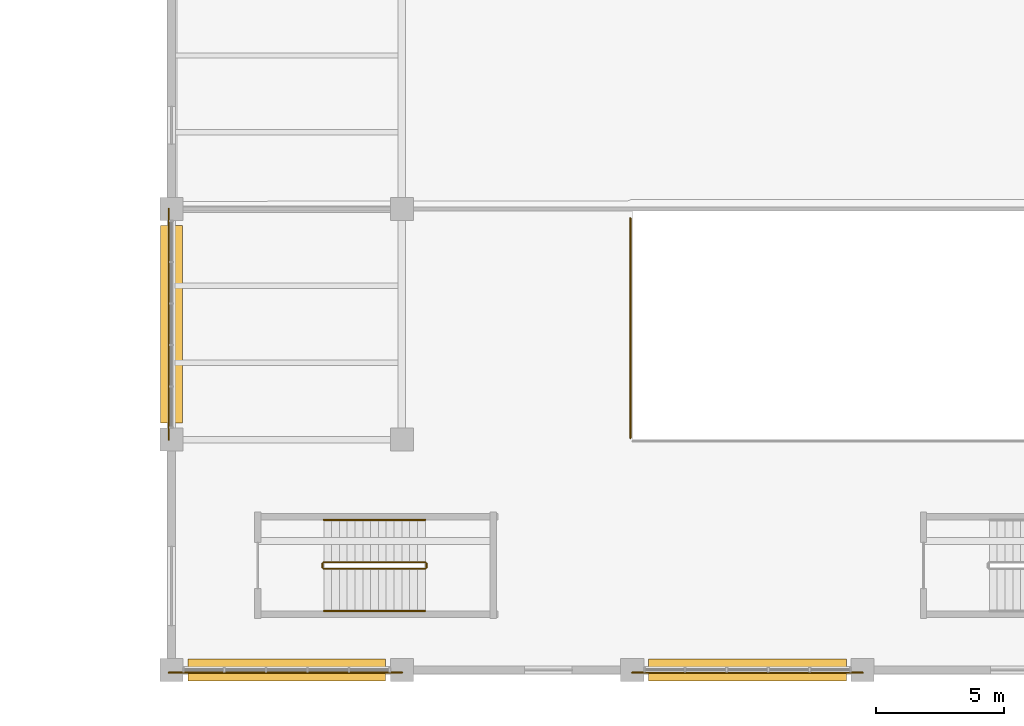
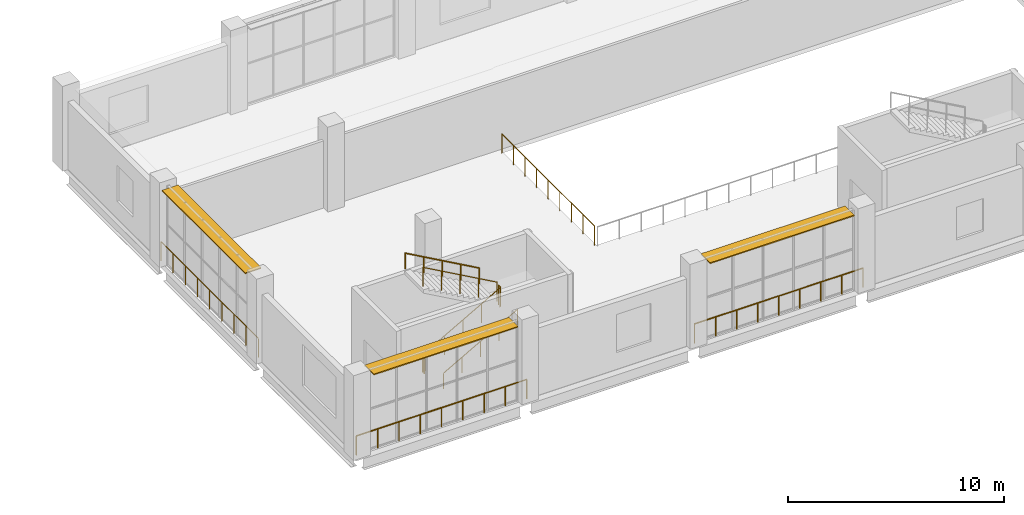
# One storey, part 125 of 183: 10 railings, 3 shading devices.
"""IFC4 building model written with IfcOpenShell, lengths in metres."""

import ifcopenshell
import ifcopenshell.guid

model = None  # the IFC model being written
_history = None  # IfcOwnerHistory: only IFC2X3 demands one
_inside = {}  # id of a spatial element -> (the spatial element, [elements in it])
_under = {}  # id of a project, library or spatial element -> (it, [spatial elements below it])
_declared = {}  # id of a project -> (the project, [libraries it declares])
_typed = {}  # id of a type object -> (the type object, [elements of that type])
_made_of = {}  # id of a material, layer set ... -> (it, [elements and type objects made of it])


def new_model(schema):
    """Start an empty IFC model of exactly this schema.

    Asked for "IFC4X3", IfcOpenShell would pick the latest addendum, in which some entities
    have other attributes; the version numbers below select the first issue.
    IFC2X3 requires an IfcOwnerHistory on every rooted entity: one is made here for all.
    """
    global model, _history
    if schema == "IFC4X3":
        model = ifcopenshell.file(schema_version=(4, 3, 0, 0))
    else:
        model = ifcopenshell.file(schema=schema)
    _inside.clear()
    _under.clear()
    _declared.clear()
    _typed.clear()
    _made_of.clear()
    _history = None
    if model.schema == "IFC2X3":
        org = make("IfcOrganization", Name="unknown")
        user = make(
            "IfcPersonAndOrganization",
            ThePerson=make("IfcPerson", FamilyName="unknown"),
            TheOrganization=org,
        )
        app = make(
            "IfcApplication",
            ApplicationDeveloper=org,
            Version="unknown",
            ApplicationFullName="unknown",
            ApplicationIdentifier="unknown",
        )
        _history = make(
            "IfcOwnerHistory",
            OwningUser=user,
            OwningApplication=app,
            ChangeAction="ADDED",
            CreationDate=0,
        )
    return model


def make(cls, **values):
    """One entity of the class cls with the attributes given. An attribute that is None is left unset."""
    return model.create_entity(
        cls, **{name: value for name, value in values.items() if value is not None}
    )


def rooted(cls, **values):
    """An entity with a GlobalId (a new one), such as an element, a storey or a relation."""
    return make(cls, GlobalId=ifcopenshell.guid.new(), OwnerHistory=_history, **values)


def si_unit(unit_type, name, prefix=None):
    """IfcSIUnit, for example si_unit("LENGTHUNIT", "METRE", prefix="MILLI")."""
    return make("IfcSIUnit", UnitType=unit_type, Prefix=prefix, Name=name)


def assignment(units):
    """IfcUnitAssignment: the units of a project."""
    return None if units is None else make("IfcUnitAssignment", Units=units)


def point(xyz):
    """IfcCartesianPoint."""
    return None if xyz is None else make("IfcCartesianPoint", Coordinates=xyz)


def direction(xyz):
    """IfcDirection."""
    return None if xyz is None else make("IfcDirection", DirectionRatios=xyz)


def frame(location, z_axis=None, x_axis=None):
    """IfcAxis2Placement3D, a coordinate frame: its origin and axes. An axis left out is left unset."""
    return make(
        "IfcAxis2Placement3D",
        Location=point(location),
        Axis=direction(z_axis),
        RefDirection=direction(x_axis),
    )


def frame_2d(location, x_axis=None):
    """IfcAxis2Placement2D, a coordinate frame in the plane: its origin and x axis."""
    return make(
        "IfcAxis2Placement2D", Location=point(location), RefDirection=direction(x_axis)
    )


def origin():
    """The frame at (0, 0, 0) with its axes left unset."""
    return frame((0.0, 0.0, 0.0))


def origin_2d():
    """The frame at (0, 0) in the plane with its x axis left unset."""
    return frame_2d((0.0, 0.0))


def place(relative_to, where):
    """IfcLocalPlacement: puts the frame where relative to a parent placement (None: the world)."""
    return make(
        "IfcLocalPlacement", PlacementRelTo=relative_to, RelativePlacement=where
    )


def context(
    kind, dimensions, precision=None, world=None, true_north=None, identifier=None
):
    """IfcGeometricRepresentationContext, for example the 3D "Model" context."""
    return make(
        "IfcGeometricRepresentationContext",
        ContextIdentifier=identifier,
        ContextType=kind,
        CoordinateSpaceDimension=dimensions,
        Precision=precision,
        WorldCoordinateSystem=world,
        TrueNorth=true_north,
    )


def subcontext(parent, identifier, kind, view, scale=None):
    """IfcGeometricRepresentationSubContext, for example "Body" below "Model"."""
    return make(
        "IfcGeometricRepresentationSubContext",
        ContextIdentifier=identifier,
        ContextType=kind,
        ParentContext=parent,
        TargetScale=scale,
        TargetView=view,
    )


def project(units=None, contexts=None):
    """IfcProject with its units and contexts."""
    return rooted(
        "IfcProject",
        Name="project",
        RepresentationContexts=contexts,
        UnitsInContext=assignment(units),
    )


def spatial(cls, under=None, at=None, **own):
    """A site, building, storey or space (cls), placed at a placement, below another one or the project."""
    s = rooted(cls, ObjectPlacement=at, **own)
    if under is not None:
        _under.setdefault(under.id(), (under, []))[1].append(s)
    return s


def profile(cls, at=None, kind="AREA", **sizes):
    """A parametric profile (cls). Its sizes go by their IFC names, for example OverallWidth=200.0."""
    return make(cls, ProfileType=kind, Position=at, **sizes)


def rectangle(**sizes):
    """IfcRectangleProfileDef."""
    return profile("IfcRectangleProfileDef", **sizes)


def circle(**sizes):
    """IfcCircleProfileDef."""
    return profile("IfcCircleProfileDef", **sizes)


def extrude(swept, where, along, depth):
    """IfcExtrudedAreaSolid: the profile swept, set in the frame where, extruded along a direction by depth."""
    return make(
        "IfcExtrudedAreaSolid",
        SweptArea=swept,
        Position=where,
        ExtrudedDirection=direction(along),
        Depth=depth,
    )


def shape(context_of_items, identifier, shape_type, items):
    """IfcShapeRepresentation: the items that make up one representation, for example the "Body"."""
    return make(
        "IfcShapeRepresentation",
        ContextOfItems=context_of_items,
        RepresentationIdentifier=identifier,
        RepresentationType=shape_type,
        Items=items,
    )


def material(Name=None, Category=None):
    """IfcMaterial."""
    return make("IfcMaterial", Name=Name, Category=Category)


def layer(
    of_material, thickness, ventilated=None, Name=None, Category=None, Priority=None
):
    """IfcMaterialLayer: one layer of a wall or slab, of a material (None: an air gap)."""
    return make(
        "IfcMaterialLayer",
        Material=of_material,
        LayerThickness=thickness,
        IsVentilated=ventilated,
        Name=Name,
        Category=Category,
        Priority=Priority,
    )


def layer_set(layers, Name=None):
    """IfcMaterialLayerSet."""
    return make("IfcMaterialLayerSet", MaterialLayers=layers, LayerSetName=Name)


def made_of(thing, what):
    """Note that an element or type object is made of a material, layer set ...; save() writes the relation."""
    if what is not None:
        _made_of.setdefault(what.id(), (what, []))[1].append(thing)
    return thing


def type_object(cls, material=None, **own):
    """A type object (cls), such as IfcWallType, which elements share."""
    return made_of(rooted(cls, **own), material)


def element(
    cls,
    number,
    at=None,
    inside=None,
    cuts=None,
    type_object=None,
    material=None,
    context=None,
    identifier="Body",
    shape_type=None,
    held_by="IfcProductDefinitionShape",
    body=None,
    shapes=None,
    **own,
):
    """One element of the class cls, such as IfcWall. Its Tag is "e" and its number.

    at: its placement. inside: the storey or other place that contains it. cuts: it is an
    opening in that element (IfcRelVoidsElement). A single representation is given by context,
    identifier, shape_type and body (its items); several are given by shapes. held_by: the class
    of the entity that holds the representations. save() writes the other relations.
    """
    e = rooted(cls, Tag="e%d" % number, ObjectPlacement=at, **own)
    if body is not None:
        shapes = [shape(context, identifier, shape_type, body)]
    if shapes is not None:
        e.Representation = make(held_by, Representations=shapes)
    if inside is not None:
        _inside.setdefault(inside.id(), (inside, []))[1].append(e)
    if cuts is not None:
        rooted(
            "IfcRelVoidsElement", RelatingBuildingElement=cuts, RelatedOpeningElement=e
        )
    if type_object is not None:
        _typed.setdefault(type_object.id(), (type_object, []))[1].append(e)
    return made_of(e, material)


def aggregate(whole, parts):
    """IfcRelAggregates: a whole, such as a stair, and the parts it consists of."""
    return rooted("IfcRelAggregates", RelatingObject=whole, RelatedObjects=parts)


def save(model, path):
    """Write the relations noted so far, then the file.

    IfcRelAggregates (storeys below a building ...), IfcRelContainedInSpatialStructure (elements
    in a storey), IfcRelDefinesByType, IfcRelAssociatesMaterial and IfcRelDeclares: one each for
    every whole, place, type object, material and project.
    """
    for whole, parts in _under.values():
        aggregate(whole, parts)
    for where, things in _inside.values():
        rooted(
            "IfcRelContainedInSpatialStructure",
            RelatedElements=things,
            RelatingStructure=where,
        )
    for kind, things in _typed.values():
        rooted("IfcRelDefinesByType", RelatedObjects=things, RelatingType=kind)
    for what, things in _made_of.values():
        rooted("IfcRelAssociatesMaterial", RelatedObjects=things, RelatingMaterial=what)
    for by, libraries in _declared.values():
        rooted("IfcRelDeclares", RelatingContext=by, RelatedDefinitions=libraries)
    model.write(path)


model = new_model("IFC4")

# Units and contexts
model_context = context("Model", 3, precision=1e-05, world=origin(), true_north=direction((0.0, 1.0)))
body_context = subcontext(model_context, "Body", "Model", "MODEL_VIEW")
ifc_project = project(units=[si_unit("LENGTHUNIT", "METRE"), si_unit("AREAUNIT", "SQUARE_METRE"), si_unit("VOLUMEUNIT", "CUBIC_METRE"), si_unit("PLANEANGLEUNIT", "RADIAN"), si_unit("MASSUNIT", "GRAM", prefix="KILO")], contexts=[model_context])

# Site, building, storey
site_placement = place(None, origin())
site = spatial("IfcSite", under=ifc_project, at=site_placement, CompositionType="ELEMENT")
building_placement = place(site_placement, origin())
building = spatial("IfcBuilding", under=site, at=building_placement, Name="Zevraka Park Crest Stadium", CompositionType="ELEMENT")
storey_placement = place(building_placement, frame((0.0, 0.0, 5.39990234375)))
storey = spatial("IfcBuildingStorey", under=building, at=storey_placement, Name="L01", CompositionType="ELEMENT", Elevation=5.39990234375)

# Railings
ifc_material_1 = material(Name="Galvanised and bronze-finished steel balustrade", Category="steel")
railing_type_1 = type_object("IfcRailingType", Name="GR01", PredefinedType="GUARDRAIL", material=ifc_material_1)
railing_1_placement = place(storey_placement, frame((36.009033203125, -0.10498046875, 0.0)))
element("IfcRailing", 1, at=railing_1_placement, inside=storey, type_object=railing_type_1, Name="Deck Edge Protection Guardrail GR01 L01-39", PredefinedType="GUARDRAIL", context=body_context, shape_type="SweptSolid", body=[
    extrude(circle(Radius=0.02392578125, at=origin_2d()), frame((0.0, 0.0, 1.076171875), z_axis=(-1.0, 0.0, 0.0), x_axis=(0.0, -1.0, 0.0)), (0.0, 0.0, 1.0), 9.01806640625),
    extrude(circle(Radius=0.02099609375, at=origin_2d()), origin(), (0.0, 0.0, 1.0), 1.052001953125),
    extrude(circle(Radius=0.02099609375, at=origin_2d()), frame((-1.127197265625, 0.0, 0.0)), (0.0, 0.0, 1.0), 1.052001953125),
    extrude(circle(Radius=0.02099609375, at=origin_2d()), frame((-2.25439453125, 0.0, 0.0)), (0.0, 0.0, 1.0), 1.052001953125),
    extrude(circle(Radius=0.02099609375, at=origin_2d()), frame((-3.3818359375, 0.0, 0.0)), (0.0, 0.0, 1.0), 1.052001953125),
    extrude(circle(Radius=0.02099609375, at=origin_2d()), frame((-4.509033203125, 0.0, 0.0)), (0.0, 0.0, 1.0), 1.052001953125),
    extrude(circle(Radius=0.02099609375, at=origin_2d()), frame((-5.63623046875, 0.0, 0.0)), (0.0, 0.0, 1.0), 1.052001953125),
    extrude(circle(Radius=0.02099609375, at=origin_2d()), frame((-6.763671875, 0.0, 0.0)), (0.0, 0.0, 1.0), 1.052001953125),
    extrude(circle(Radius=0.02099609375, at=origin_2d()), frame((-7.890869140625, 0.0, 0.0)), (0.0, 0.0, 1.0), 1.052001953125),
    extrude(circle(Radius=0.02099609375, at=origin_2d()), frame((-9.01806640625, 0.0, 0.0)), (0.0, 0.0, 1.0), 1.052001953125),
])
railing_2_placement = place(storey_placement, frame((18.009033203125, -0.10498046875, 0.0)))
element("IfcRailing", 2, at=railing_2_placement, inside=storey, type_object=railing_type_1, Name="Deck Edge Protection Guardrail GR01 L01-40", PredefinedType="GUARDRAIL", context=body_context, shape_type="SweptSolid", body=[
    extrude(circle(Radius=0.02392578125, at=origin_2d()), frame((0.0, 0.0, 1.076171875), z_axis=(-1.0, 0.0, 0.0), x_axis=(0.0, -1.0, 0.0)), (0.0, 0.0, 1.0), 9.114013671875),
    extrude(circle(Radius=0.02099609375, at=origin_2d()), origin(), (0.0, 0.0, 1.0), 1.052001953125),
    extrude(circle(Radius=0.02099609375, at=origin_2d()), frame((-1.13916015625, 0.0, 0.0)), (0.0, 0.0, 1.0), 1.052001953125),
    extrude(circle(Radius=0.02099609375, at=origin_2d()), frame((-2.278564453125, 0.0, 0.0)), (0.0, 0.0, 1.0), 1.052001953125),
    extrude(circle(Radius=0.02099609375, at=origin_2d()), frame((-3.417724609375, 0.0, 0.0)), (0.0, 0.0, 1.0), 1.052001953125),
    extrude(circle(Radius=0.02099609375, at=origin_2d()), frame((-4.55712890625, 0.0, 0.0)), (0.0, 0.0, 1.0), 1.052001953125),
    extrude(circle(Radius=0.02099609375, at=origin_2d()), frame((-5.6962890625, 0.0, 0.0)), (0.0, 0.0, 1.0), 1.052001953125),
    extrude(circle(Radius=0.02099609375, at=origin_2d()), frame((-6.83544921875, 0.0, 0.0)), (0.0, 0.0, 1.0), 1.052001953125),
    extrude(circle(Radius=0.02099609375, at=origin_2d()), frame((-7.974853515625, 0.0, 0.0)), (0.0, 0.0, 1.0), 1.052001953125),
    extrude(circle(Radius=0.02099609375, at=origin_2d()), frame((-9.114013671875, 0.0, 0.0)), (0.0, 0.0, 1.0), 1.052001953125),
])
railing_3_placement = place(storey_placement, frame((8.89501953125, 8.990966796875, 0.0)))
element("IfcRailing", 3, at=railing_3_placement, inside=storey, type_object=railing_type_1, Name="Deck Edge Protection Guardrail GR01 L01-41", PredefinedType="GUARDRAIL", context=body_context, shape_type="SweptSolid", body=[
    extrude(circle(Radius=0.02392578125, at=origin_2d()), frame((0.0, 0.0, 1.076171875), z_axis=(0.0, 1.0, 0.0), x_axis=(-1.0, 0.0, 0.0)), (0.0, 0.0, 1.0), 9.01806640625),
    extrude(circle(Radius=0.02099609375, at=origin_2d()), origin(), (0.0, 0.0, 1.0), 1.052001953125),
    extrude(circle(Radius=0.02099609375, at=origin_2d()), frame((0.0, 1.127197265625, 0.0)), (0.0, 0.0, 1.0), 1.052001953125),
    extrude(circle(Radius=0.02099609375, at=origin_2d()), frame((0.0, 2.25439453125, 0.0)), (0.0, 0.0, 1.0), 1.052001953125),
    extrude(circle(Radius=0.02099609375, at=origin_2d()), frame((0.0, 3.3818359375, 0.0)), (0.0, 0.0, 1.0), 1.052001953125),
    extrude(circle(Radius=0.02099609375, at=origin_2d()), frame((0.0, 4.509033203125, 0.0)), (0.0, 0.0, 1.0), 1.052001953125),
    extrude(circle(Radius=0.02099609375, at=origin_2d()), frame((0.0, 5.63623046875, 0.0)), (0.0, 0.0, 1.0), 1.052001953125),
    extrude(circle(Radius=0.02099609375, at=origin_2d()), frame((0.0, 6.763671875, 0.0)), (0.0, 0.0, 1.0), 1.052001953125),
    extrude(circle(Radius=0.02099609375, at=origin_2d()), frame((0.0, 7.890869140625, 0.0)), (0.0, 0.0, 1.0), 1.052001953125),
    extrude(circle(Radius=0.02099609375, at=origin_2d()), frame((0.0, 9.01806640625, 0.0)), (0.0, 0.0, 1.0), 1.052001953125),
])
railing_4_placement = place(storey_placement, frame((26.929931640625, 17.64501953125, 0.0)))
element("IfcRailing", 4, at=railing_4_placement, inside=storey, type_object=railing_type_1, Name="Deck Edge Protection Guardrail GR01 L01-112", PredefinedType="GUARDRAIL", context=body_context, shape_type="SweptSolid", body=[
    extrude(circle(Radius=0.02392578125, at=origin_2d()), frame((0.0, 0.0, 1.076171875), z_axis=(0.0, -1.0, 0.0), x_axis=(1.0, 0.0, 0.0)), (0.0, 0.0, 1.0), 8.5849609375),
    extrude(circle(Radius=0.02099609375, at=origin_2d()), origin(), (0.0, 0.0, 1.0), 1.052001953125),
    extrude(circle(Radius=0.02099609375, at=origin_2d()), frame((0.0, -1.0732421875, 0.0)), (0.0, 0.0, 1.0), 1.052001953125),
    extrude(circle(Radius=0.02099609375, at=origin_2d()), frame((0.0, -2.146240234375, 0.0)), (0.0, 0.0, 1.0), 1.052001953125),
    extrude(circle(Radius=0.02099609375, at=origin_2d()), frame((0.0, -3.21923828125, 0.0)), (0.0, 0.0, 1.0), 1.052001953125),
    extrude(circle(Radius=0.02099609375, at=origin_2d()), frame((0.0, -4.29248046875, 0.0)), (0.0, 0.0, 1.0), 1.052001953125),
    extrude(circle(Radius=0.02099609375, at=origin_2d()), frame((0.0, -5.36572265625, 0.0)), (0.0, 0.0, 1.0), 1.052001953125),
    extrude(circle(Radius=0.02099609375, at=origin_2d()), frame((0.0, -6.438720703125, 0.0)), (0.0, 0.0, 1.0), 1.052001953125),
    extrude(circle(Radius=0.02099609375, at=origin_2d()), frame((0.0, -7.51171875, 0.0)), (0.0, 0.0, 1.0), 1.052001953125),
    extrude(circle(Radius=0.02099609375, at=origin_2d()), frame((0.0, -8.5849609375, 0.0)), (0.0, 0.0, 1.0), 1.052001953125),
])
ifc_material_2 = material(Name="Powder-coated tubular steel stairwell guard", Category="steel")
railing_type_2 = type_object("IfcRailingType", Name="GR03", PredefinedType="GUARDRAIL", material=ifc_material_2)
railing_5_placement = place(storey_placement, frame((14.949951171875, 3.949951171875, 0.171630859375)))
element("IfcRailing", 5, at=railing_5_placement, inside=storey, type_object=railing_type_2, Name="L01 ST51 stair guard 1", PredefinedType="GUARDRAIL", context=body_context, shape_type="SweptSolid", body=[
    extrude(circle(Radius=0.02392578125, at=origin_2d()), frame((0.0, 0.0, 1.076171875), z_axis=(0.871748933509, 0.0, 0.489952851738), x_axis=(0.0, 1.0, 0.0)), (0.0, 0.0, 1.0), 4.54833984375),
    extrude(circle(Radius=0.02099609375, at=origin_2d()), origin(), (0.0, 0.0, 1.0), 1.052001953125),
    extrude(circle(Radius=0.02099609375, at=origin_2d()), frame((0.9912109375, 0.0, 0.55712890625)), (0.0, 0.0, 1.0), 1.052001953125),
    extrude(circle(Radius=0.02099609375, at=origin_2d()), frame((1.982421875, 0.0, 1.1142578125)), (0.0, 0.0, 1.0), 1.052001953125),
    extrude(circle(Radius=0.02099609375, at=origin_2d()), frame((2.973876953125, 0.0, 1.67138671875)), (0.0, 0.0, 1.0), 1.052001953125),
    extrude(circle(Radius=0.02099609375, at=origin_2d()), frame((3.965087890625, 0.0, 2.228515625)), (0.0, 0.0, 1.0), 1.052001953125),
])
railing_6_placement = place(storey_placement, frame((18.965087890625, 4.0, 2.400146484375)))
element("IfcRailing", 6, at=railing_6_placement, inside=storey, type_object=railing_type_2, Name="L01 ST51 stair guard 2", PredefinedType="GUARDRAIL", context=body_context, shape_type="SweptSolid", body=[
    extrude(circle(Radius=0.02392578125, at=origin_2d()), frame((0.0, 0.0, 1.076171875), z_axis=(0.0, 1.0, 0.0), x_axis=(-1.0, 0.0, 0.0)), (0.0, 0.0, 1.0), 0.159912109375),
    extrude(circle(Radius=0.02099609375, at=origin_2d()), origin(), (0.0, 0.0, 1.0), 1.052001953125),
    extrude(circle(Radius=0.02099609375, at=origin_2d()), frame((0.0, 0.159912109375, 0.0)), (0.0, 0.0, 1.0), 1.052001953125),
])
railing_7_placement = place(storey_placement, frame((18.9150390625, 4.2099609375, 2.571533203125)))
element("IfcRailing", 7, at=railing_7_placement, inside=storey, type_object=railing_type_2, Name="L01 ST51 stair guard 3", PredefinedType="GUARDRAIL", context=body_context, shape_type="SweptSolid", body=[
    extrude(circle(Radius=0.02392578125, at=origin_2d()), frame((0.0, 0.0, 1.076171875), z_axis=(-0.871748933509, 0.0, 0.489952851738), x_axis=(0.0, -1.0, 0.0)), (0.0, 0.0, 1.0), 4.54833984375),
    extrude(circle(Radius=0.02099609375, at=origin_2d()), origin(), (0.0, 0.0, 1.0), 1.052001953125),
    extrude(circle(Radius=0.02099609375, at=origin_2d()), frame((-0.9912109375, 0.0, 0.55712890625)), (0.0, 0.0, 1.0), 1.052001953125),
    extrude(circle(Radius=0.02099609375, at=origin_2d()), frame((-1.982421875, 0.0, 1.1142578125)), (0.0, 0.0, 1.0), 1.052001953125),
    extrude(circle(Radius=0.02099609375, at=origin_2d()), frame((-2.973876953125, 0.0, 1.67138671875)), (0.0, 0.0, 1.0), 1.052001953125),
    extrude(circle(Radius=0.02099609375, at=origin_2d()), frame((-3.965087890625, 0.0, 2.228515625)), (0.0, 0.0, 1.0), 1.052001953125),
])
railing_8_placement = place(storey_placement, frame((14.89990234375, 4.0, 0.0)))
element("IfcRailing", 8, at=railing_8_placement, inside=storey, type_object=railing_type_2, Name="L01 ST51 stair guard 4", PredefinedType="GUARDRAIL", context=body_context, shape_type="SweptSolid", body=[
    extrude(circle(Radius=0.02392578125, at=origin_2d()), frame((0.0, 0.0, 1.076171875), z_axis=(0.0, 1.0, 0.0), x_axis=(-1.0, 0.0, 0.0)), (0.0, 0.0, 1.0), 0.159912109375),
    extrude(circle(Radius=0.02099609375, at=origin_2d()), origin(), (0.0, 0.0, 1.0), 1.052001953125),
    extrude(circle(Radius=0.02099609375, at=origin_2d()), frame((0.0, 0.159912109375, 0.0)), (0.0, 0.0, 1.0), 1.052001953125),
])
ifc_material_3 = material(Name="Brushed stainless steel continuous handrail", Category="steel")
railing_type_3 = type_object("IfcRailingType", Name="HR01", PredefinedType="HANDRAIL", material=ifc_material_3)
railing_9_placement = place(storey_placement, frame((14.949951171875, 2.300048828125, 0.171630859375)))
element("IfcRailing", 9, at=railing_9_placement, inside=storey, type_object=railing_type_3, Name="L01 ST51 stair handrail 1", PredefinedType="HANDRAIL", context=body_context, shape_type="SweptSolid", body=[
    extrude(circle(Radius=0.02392578125, at=origin_2d()), frame((0.0, 0.0, 0.8759765625), z_axis=(0.871748933509, 0.0, 0.489952851738), x_axis=(0.0, 1.0, 0.0)), (0.0, 0.0, 1.0), 4.54833984375),
    extrude(circle(Radius=0.02099609375, at=origin_2d()), origin(), (0.0, 0.0, 1.0), 0.851806640625),
    extrude(circle(Radius=0.02099609375, at=origin_2d()), frame((0.9912109375, 0.0, 0.55712890625)), (0.0, 0.0, 1.0), 0.851806640625),
    extrude(circle(Radius=0.02099609375, at=origin_2d()), frame((1.982421875, 0.0, 1.1142578125)), (0.0, 0.0, 1.0), 0.851806640625),
    extrude(circle(Radius=0.02099609375, at=origin_2d()), frame((2.973876953125, 0.0, 1.67138671875)), (0.0, 0.0, 1.0), 0.851806640625),
    extrude(circle(Radius=0.02099609375, at=origin_2d()), frame((3.965087890625, 0.0, 2.228515625)), (0.0, 0.0, 1.0), 0.851806640625),
])
railing_10_placement = place(storey_placement, frame((18.9150390625, 5.860107421875, 2.571533203125)))
element("IfcRailing", 10, at=railing_10_placement, inside=storey, type_object=railing_type_3, Name="L01 ST51 stair handrail 2", PredefinedType="HANDRAIL", context=body_context, shape_type="SweptSolid", body=[
    extrude(circle(Radius=0.02392578125, at=origin_2d()), frame((0.0, 0.0, 0.8759765625), z_axis=(-0.871748933509, 0.0, 0.489952851738), x_axis=(0.0, -1.0, 0.0)), (0.0, 0.0, 1.0), 4.54833984375),
    extrude(circle(Radius=0.02099609375, at=origin_2d()), origin(), (0.0, 0.0, 1.0), 0.851806640625),
    extrude(circle(Radius=0.02099609375, at=origin_2d()), frame((-0.9912109375, 0.0, 0.55712890625)), (0.0, 0.0, 1.0), 0.851806640625),
    extrude(circle(Radius=0.02099609375, at=origin_2d()), frame((-1.982421875, 0.0, 1.1142578125)), (0.0, 0.0, 1.0), 0.851806640625),
    extrude(circle(Radius=0.02099609375, at=origin_2d()), frame((-2.973876953125, 0.0, 1.67138671875)), (0.0, 0.0, 1.0), 0.851806640625),
    extrude(circle(Radius=0.02099609375, at=origin_2d()), frame((-3.965087890625, 0.0, 2.228515625)), (0.0, 0.0, 1.0), 0.851806640625),
])

# Shading devices
ifc_material_4 = material(Name="Architectural golden-bronze anodised bronze", Category="aluminium")
ifc_layer = layer(ifc_material_4, 0.06005859375)
ifc_layer_set = layer_set([ifc_layer], Name="Architectural golden-bronze anodised bronze")
shading_device_type = type_object("IfcShadingDeviceType", Name="SHD01", PredefinedType="USERDEFINED", material=ifc_layer_set)
for number, where, z_axis, x_axis, name in (
    (11, (31.5, 0.0, 4.440185546875), (0.0, 0.0, 1.0), (-1.0, 0.0, 0.0), "Wing Bronze Solar Screen SHD01 L01-SW-S1-6"),
    (12, (13.5, 0.0, 4.440185546875), (0.0, 0.0, 1.0), (-1.0, 0.0, 0.0), "Wing Bronze Solar Screen SHD01 L01-SW-S1-8"),
    (13, (9.0, 13.5, 4.440185546875), (0.0, 0.0, 1.0), (0.0, 1.0, 0.0), "Wing Bronze Solar Screen SHD01 L01-SW-W-2"),
):
    element("IfcShadingDevice", number, at=place(storey_placement, frame(where, z_axis=z_axis, x_axis=x_axis)), inside=storey, type_object=shading_device_type, Name=name, ObjectType="SOLAR SCREEN", PredefinedType="USERDEFINED", context=body_context, shape_type="SweptSolid", body=[
        extrude(rectangle(XDim=7.719970703125, YDim=0.85009765625, at=origin_2d()), origin(), (0.0, 0.0, 1.0), 0.06005859375),
    ])

save(model, "model.ifc")
